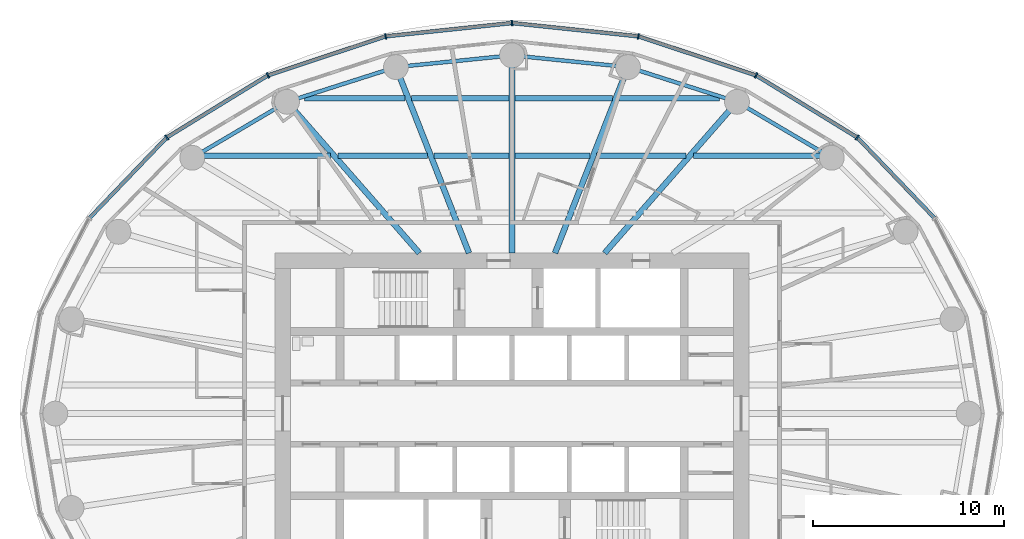
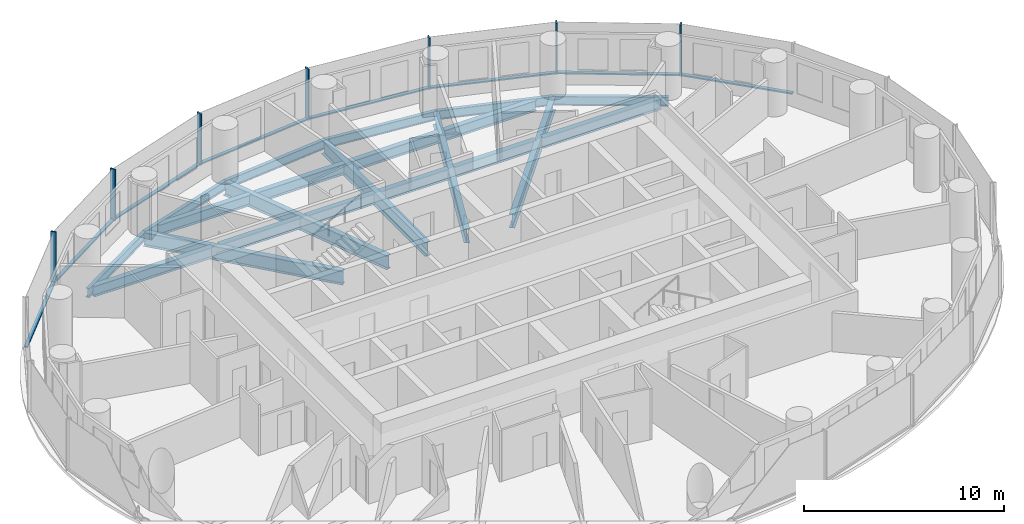
# One storey, part 4 of 14: 21 beams, 15 members, 2 elements without a shape of their own.
"""IFC4 building model written with IfcOpenShell, lengths in metres."""

import ifcopenshell
import ifcopenshell.guid

model = None  # the IFC model being written
_history = None  # IfcOwnerHistory: only IFC2X3 demands one
_inside = {}  # id of a spatial element -> (the spatial element, [elements in it])
_under = {}  # id of a project, library or spatial element -> (it, [spatial elements below it])
_declared = {}  # id of a project -> (the project, [libraries it declares])
_typed = {}  # id of a type object -> (the type object, [elements of that type])
_made_of = {}  # id of a material, layer set ... -> (it, [elements and type objects made of it])


def new_model(schema):
    """Start an empty IFC model of exactly this schema.

    Asked for "IFC4X3", IfcOpenShell would pick the latest addendum, in which some entities
    have other attributes; the version numbers below select the first issue.
    IFC2X3 requires an IfcOwnerHistory on every rooted entity: one is made here for all.
    """
    global model, _history
    if schema == "IFC4X3":
        model = ifcopenshell.file(schema_version=(4, 3, 0, 0))
    else:
        model = ifcopenshell.file(schema=schema)
    _inside.clear()
    _under.clear()
    _declared.clear()
    _typed.clear()
    _made_of.clear()
    _history = None
    if model.schema == "IFC2X3":
        org = make("IfcOrganization", Name="unknown")
        user = make(
            "IfcPersonAndOrganization",
            ThePerson=make("IfcPerson", FamilyName="unknown"),
            TheOrganization=org,
        )
        app = make(
            "IfcApplication",
            ApplicationDeveloper=org,
            Version="unknown",
            ApplicationFullName="unknown",
            ApplicationIdentifier="unknown",
        )
        _history = make(
            "IfcOwnerHistory",
            OwningUser=user,
            OwningApplication=app,
            ChangeAction="ADDED",
            CreationDate=0,
        )
    return model


def make(cls, **values):
    """One entity of the class cls with the attributes given. An attribute that is None is left unset."""
    return model.create_entity(
        cls, **{name: value for name, value in values.items() if value is not None}
    )


def rooted(cls, **values):
    """An entity with a GlobalId (a new one), such as an element, a storey or a relation."""
    return make(cls, GlobalId=ifcopenshell.guid.new(), OwnerHistory=_history, **values)


def si_unit(unit_type, name, prefix=None):
    """IfcSIUnit, for example si_unit("LENGTHUNIT", "METRE", prefix="MILLI")."""
    return make("IfcSIUnit", UnitType=unit_type, Prefix=prefix, Name=name)


def assignment(units):
    """IfcUnitAssignment: the units of a project."""
    return None if units is None else make("IfcUnitAssignment", Units=units)


def point(xyz):
    """IfcCartesianPoint."""
    return None if xyz is None else make("IfcCartesianPoint", Coordinates=xyz)


def direction(xyz):
    """IfcDirection."""
    return None if xyz is None else make("IfcDirection", DirectionRatios=xyz)


def frame(location, z_axis=None, x_axis=None):
    """IfcAxis2Placement3D, a coordinate frame: its origin and axes. An axis left out is left unset."""
    return make(
        "IfcAxis2Placement3D",
        Location=point(location),
        Axis=direction(z_axis),
        RefDirection=direction(x_axis),
    )


def frame_2d(location, x_axis=None):
    """IfcAxis2Placement2D, a coordinate frame in the plane: its origin and x axis."""
    return make(
        "IfcAxis2Placement2D", Location=point(location), RefDirection=direction(x_axis)
    )


def origin():
    """The frame at (0, 0, 0) with its axes left unset."""
    return frame((0.0, 0.0, 0.0))


def origin_2d():
    """The frame at (0, 0) in the plane with its x axis left unset."""
    return frame_2d((0.0, 0.0))


def place(relative_to, where):
    """IfcLocalPlacement: puts the frame where relative to a parent placement (None: the world)."""
    return make(
        "IfcLocalPlacement", PlacementRelTo=relative_to, RelativePlacement=where
    )


def context(
    kind, dimensions, precision=None, world=None, true_north=None, identifier=None
):
    """IfcGeometricRepresentationContext, for example the 3D "Model" context."""
    return make(
        "IfcGeometricRepresentationContext",
        ContextIdentifier=identifier,
        ContextType=kind,
        CoordinateSpaceDimension=dimensions,
        Precision=precision,
        WorldCoordinateSystem=world,
        TrueNorth=true_north,
    )


def subcontext(parent, identifier, kind, view, scale=None):
    """IfcGeometricRepresentationSubContext, for example "Body" below "Model"."""
    return make(
        "IfcGeometricRepresentationSubContext",
        ContextIdentifier=identifier,
        ContextType=kind,
        ParentContext=parent,
        TargetScale=scale,
        TargetView=view,
    )


def project(units=None, contexts=None):
    """IfcProject with its units and contexts."""
    return rooted(
        "IfcProject",
        Name="project",
        RepresentationContexts=contexts,
        UnitsInContext=assignment(units),
    )


def spatial(cls, under=None, at=None, **own):
    """A site, building, storey or space (cls), placed at a placement, below another one or the project."""
    s = rooted(cls, ObjectPlacement=at, **own)
    if under is not None:
        _under.setdefault(under.id(), (under, []))[1].append(s)
    return s


def profile(cls, at=None, kind="AREA", **sizes):
    """A parametric profile (cls). Its sizes go by their IFC names, for example OverallWidth=200.0."""
    return make(cls, ProfileType=kind, Position=at, **sizes)


def rectangle(**sizes):
    """IfcRectangleProfileDef."""
    return profile("IfcRectangleProfileDef", **sizes)


def i_section(**sizes):
    """IfcIShapeProfileDef."""
    return profile("IfcIShapeProfileDef", **sizes)


def extrude(swept, where, along, depth):
    """IfcExtrudedAreaSolid: the profile swept, set in the frame where, extruded along a direction by depth."""
    return make(
        "IfcExtrudedAreaSolid",
        SweptArea=swept,
        Position=where,
        ExtrudedDirection=direction(along),
        Depth=depth,
    )


def shape(context_of_items, identifier, shape_type, items):
    """IfcShapeRepresentation: the items that make up one representation, for example the "Body"."""
    return make(
        "IfcShapeRepresentation",
        ContextOfItems=context_of_items,
        RepresentationIdentifier=identifier,
        RepresentationType=shape_type,
        Items=items,
    )


def material(Name=None, Category=None):
    """IfcMaterial."""
    return make("IfcMaterial", Name=Name, Category=Category)


def material_profile(
    of_material, cross_section, Name=None, Category=None, Priority=None
):
    """IfcMaterialProfile: a cross section and its material."""
    return make(
        "IfcMaterialProfile",
        Name=Name,
        Material=of_material,
        Profile=cross_section,
        Priority=Priority,
        Category=Category,
    )


def profile_set(profiles, Name=None, composite=None):
    """IfcMaterialProfileSet."""
    return make(
        "IfcMaterialProfileSet",
        Name=Name,
        MaterialProfiles=profiles,
        CompositeProfile=composite,
    )


def made_of(thing, what):
    """Note that an element or type object is made of a material, layer set ...; save() writes the relation."""
    if what is not None:
        _made_of.setdefault(what.id(), (what, []))[1].append(thing)
    return thing


def type_object(cls, material=None, **own):
    """A type object (cls), such as IfcWallType, which elements share."""
    return made_of(rooted(cls, **own), material)


def element(
    cls,
    number,
    at=None,
    inside=None,
    cuts=None,
    type_object=None,
    material=None,
    context=None,
    identifier="Body",
    shape_type=None,
    held_by="IfcProductDefinitionShape",
    body=None,
    shapes=None,
    **own,
):
    """One element of the class cls, such as IfcWall. Its Tag is "e" and its number.

    at: its placement. inside: the storey or other place that contains it. cuts: it is an
    opening in that element (IfcRelVoidsElement). A single representation is given by context,
    identifier, shape_type and body (its items); several are given by shapes. held_by: the class
    of the entity that holds the representations. save() writes the other relations.
    """
    e = rooted(cls, Tag="e%d" % number, ObjectPlacement=at, **own)
    if body is not None:
        shapes = [shape(context, identifier, shape_type, body)]
    if shapes is not None:
        e.Representation = make(held_by, Representations=shapes)
    if inside is not None:
        _inside.setdefault(inside.id(), (inside, []))[1].append(e)
    if cuts is not None:
        rooted(
            "IfcRelVoidsElement", RelatingBuildingElement=cuts, RelatedOpeningElement=e
        )
    if type_object is not None:
        _typed.setdefault(type_object.id(), (type_object, []))[1].append(e)
    return made_of(e, material)


def aggregate(whole, parts):
    """IfcRelAggregates: a whole, such as a stair, and the parts it consists of."""
    return rooted("IfcRelAggregates", RelatingObject=whole, RelatedObjects=parts)


def save(model, path):
    """Write the relations noted so far, then the file.

    IfcRelAggregates (storeys below a building ...), IfcRelContainedInSpatialStructure (elements
    in a storey), IfcRelDefinesByType, IfcRelAssociatesMaterial and IfcRelDeclares: one each for
    every whole, place, type object, material and project.
    """
    for whole, parts in _under.values():
        aggregate(whole, parts)
    for where, things in _inside.values():
        rooted(
            "IfcRelContainedInSpatialStructure",
            RelatedElements=things,
            RelatingStructure=where,
        )
    for kind, things in _typed.values():
        rooted("IfcRelDefinesByType", RelatedObjects=things, RelatingType=kind)
    for what, things in _made_of.values():
        rooted("IfcRelAssociatesMaterial", RelatedObjects=things, RelatingMaterial=what)
    for by, libraries in _declared.values():
        rooted("IfcRelDeclares", RelatingContext=by, RelatedDefinitions=libraries)
    model.write(path)


model = new_model("IFC4")

# Units and contexts
model_context = context("Model", 3, precision=1e-05, world=origin(), true_north=direction((0.0, 1.0)))
body_context = subcontext(model_context, "Body", "Model", "MODEL_VIEW")
ifc_project = project(units=[si_unit("LENGTHUNIT", "METRE"), si_unit("AREAUNIT", "SQUARE_METRE"), si_unit("VOLUMEUNIT", "CUBIC_METRE"), si_unit("PLANEANGLEUNIT", "RADIAN"), si_unit("MASSUNIT", "GRAM", prefix="KILO")], contexts=[model_context])

# Site, building, storey
site_placement = place(None, origin())
site = spatial("IfcSite", under=ifc_project, at=site_placement, CompositionType="ELEMENT")
building_placement = place(site_placement, origin())
building = spatial("IfcBuilding", under=site, at=building_placement, Name="Hankou Lantern Tower", CompositionType="ELEMENT")
storey_placement = place(building_placement, frame((0.0, 0.0, 108.89990234375)))
storey = spatial("IfcBuildingStorey", under=building, at=storey_placement, Name="L27", CompositionType="ELEMENT", Elevation=108.89990234375)

# Beams
ifc_material_1 = material(Name="Steel Q355B", Category="steel")
ifc_material_profile_1 = material_profile(ifc_material_1, i_section(OverallWidth=0.199951171875, OverallDepth=0.550048828125, WebThickness=0.010009765625, FlangeThickness=0.01611328125, FilletRadius=0.012939453125, at=origin_2d()), Name="HN550x200x10x16")
ifc_profile_set_1 = profile_set([ifc_material_profile_1], Name="Steel Q355B")
beam_type_1 = type_object("IfcBeamType", Name="EB6 RING BEAM HN550x200x10x16", PredefinedType="SPANDREL", material=ifc_profile_set_1)
beam_1_placement = place(storey_placement, frame((16.73388671875, 13.38720703125, -0.454833984375), z_axis=(-0.860988974188, 0.508623619513, 0.0), x_axis=(-0.508623619513, -0.860988974188, 0.0)))
element("IfcBeam", 1, at=beam_1_placement, inside=storey, type_object=beam_type_1, Name="Ring beam R04-R05 L27", PredefinedType="SPANDREL", context=body_context, shape_type="SweptSolid", body=[
    extrude(i_section(OverallWidth=0.199951171875, OverallDepth=0.550048828125, WebThickness=0.010009765625, FlangeThickness=0.01611328125, FilletRadius=0.012939453125, at=origin_2d()), origin(), (0.0, 0.0, 1.0), 5.759033203125),
])
beam_2_placement = place(storey_placement, frame((11.775390625, 16.31640625, -0.454833984375), z_axis=(-0.952731090451, 0.303814860215, 0.0), x_axis=(-0.303814860215, -0.952731090451, 0.0)))
element("IfcBeam", 2, at=beam_2_placement, inside=storey, type_object=beam_type_1, Name="Ring beam R05-R06 L27", PredefinedType="SPANDREL", context=body_context, shape_type="SweptSolid", body=[
    extrude(i_section(OverallWidth=0.199951171875, OverallDepth=0.550048828125, WebThickness=0.010009765625, FlangeThickness=0.01611328125, FilletRadius=0.012939453125, at=origin_2d()), origin(), (0.0, 0.0, 1.0), 5.984375),
])
for number, where, z_axis, x_axis, name in (
    (3, (6.073974609375, 18.134521484375, -0.454833984375), (-0.994905271594, 0.100814188259, 0.0), (-0.100814188259, -0.994905271594, 0.0), "Ring beam R06-R07 L27"),
    (4, (0.0, 18.75, -0.454833984375), (-0.994905271594, -0.100814188259, 0.0), (0.100814188259, -0.994905271594, 0.0), "Ring beam R07-R08 L27"),
):
    element("IfcBeam", number, at=place(storey_placement, frame(where, z_axis=z_axis, x_axis=x_axis)), inside=storey, type_object=beam_type_1, Name=name, PredefinedType="SPANDREL", context=body_context, shape_type="SweptSolid", body=[
        extrude(i_section(OverallWidth=0.199951171875, OverallDepth=0.550048828125, WebThickness=0.010009765625, FlangeThickness=0.01611328125, FilletRadius=0.012939453125, at=origin_2d()), origin(), (0.0, 0.0, 1.0), 6.10498046875),
    ])
beam_3_placement = place(storey_placement, frame((-6.073974609375, 18.134521484375, -0.454833984375), z_axis=(-0.952731090451, -0.303814860215, 0.0), x_axis=(0.303814860215, -0.952731090451, 0.0)))
element("IfcBeam", 5, at=beam_3_placement, inside=storey, type_object=beam_type_1, Name="Ring beam R08-R09 L27", PredefinedType="SPANDREL", context=body_context, shape_type="SweptSolid", body=[
    extrude(i_section(OverallWidth=0.199951171875, OverallDepth=0.550048828125, WebThickness=0.010009765625, FlangeThickness=0.01611328125, FilletRadius=0.012939453125, at=origin_2d()), origin(), (0.0, 0.0, 1.0), 5.984375),
])
beam_4_placement = place(storey_placement, frame((-11.775390625, 16.31640625, -0.454833984375), z_axis=(-0.860988974188, -0.508623619513, 0.0), x_axis=(0.508623619513, -0.860988974188, 0.0)))
element("IfcBeam", 6, at=beam_4_placement, inside=storey, type_object=beam_type_1, Name="Ring beam R09-R10 L27", PredefinedType="SPANDREL", context=body_context, shape_type="SweptSolid", body=[
    extrude(i_section(OverallWidth=0.199951171875, OverallDepth=0.550048828125, WebThickness=0.010009765625, FlangeThickness=0.01611328125, FilletRadius=0.012939453125, at=origin_2d()), origin(), (0.0, 0.0, 1.0), 5.759033203125),
])

# Curtain wall, members
ifc_material_2 = material(Name="Glass, dark grey tinted laminated", Category="glass")
curtain_wall_type = type_object("IfcCurtainWallType", Name="CWB OUTER SKIN MID-RISE", PredefinedType="USERDEFINED", material=ifc_material_2)
curtain_wall_1_placement = place(storey_placement, origin())
curtain_wall_1 = element("IfcCurtainWall", 7, at=curtain_wall_1_placement, inside=storey, type_object=curtain_wall_type, Name="CWB L27 OS1", ObjectType="OUTER SKIN MID-RISE", PredefinedType="USERDEFINED")
ifc_material_3 = material(Name="Aluminium, black anodised", Category="aluminium")
ifc_material_profile_2 = material_profile(ifc_material_3, rectangle(XDim=0.080078125, YDim=0.300048828125, at=origin_2d()), Name="MU1 80X300")
ifc_profile_set_2 = profile_set([ifc_material_profile_2], Name="Aluminium, black anodised")
member_type_1 = type_object("IfcMemberType", Name="MU1 OUTER SKIN MULLION 80X300", PredefinedType="MULLION", material=ifc_profile_set_2)
member_1_placement = place(storey_placement, frame((18.066650390625, 14.453369140625, 0.0), z_axis=(0.0, 0.0, 1.0), x_axis=(-0.780868809444, 0.624695047553, 0.0)))
member_1 = element("IfcMember", 8, at=member_1_placement, type_object=member_type_1, Name="CWB mullion 4", PredefinedType="MULLION", context=body_context, shape_type="SweptSolid", body=[
    extrude(rectangle(XDim=0.080078125, YDim=0.300048828125, at=origin_2d()), origin(), (0.0, 0.0, 1.0), 3.1201171875),
])
member_2_placement = place(storey_placement, frame((12.77490234375, 17.70166015625, 0.0), z_axis=(0.0, 0.0, 1.0), x_axis=(-0.907841299004, 0.419313934686, 0.0)))
member_2 = element("IfcMember", 9, at=member_2_placement, type_object=member_type_1, Name="CWB mullion 5", PredefinedType="MULLION", context=body_context, shape_type="SweptSolid", body=[
    extrude(rectangle(XDim=0.080078125, YDim=0.300048828125, at=origin_2d()), origin(), (0.0, 0.0, 1.0), 3.1201171875),
])
member_3_placement = place(storey_placement, frame((6.61279296875, 19.743408203125, 0.0), z_axis=(0.0, 0.0, 1.0), x_axis=(-0.977787659625, 0.209597931016, 0.0)))
member_3 = element("IfcMember", 10, at=member_3_placement, type_object=member_type_1, Name="CWB mullion 6", PredefinedType="MULLION", context=body_context, shape_type="SweptSolid", body=[
    extrude(rectangle(XDim=0.080078125, YDim=0.300048828125, at=origin_2d()), origin(), (0.0, 0.0, 1.0), 3.1201171875),
])

curtain_wall_2_placement = place(storey_placement, origin())
curtain_wall_2 = element("IfcCurtainWall", 11, at=curtain_wall_2_placement, inside=storey, type_object=curtain_wall_type, Name="CWB L27 OS2", ObjectType="OUTER SKIN MID-RISE", PredefinedType="USERDEFINED")
member_4_placement = place(storey_placement, frame((0.0, 20.43994140625, 0.0), z_axis=(0.0, 0.0, 1.0), x_axis=(-0.994499359107, -0.104742659579, 0.0)))
member_4 = element("IfcMember", 12, at=member_4_placement, type_object=member_type_1, Name="CWB mullion 1", PredefinedType="MULLION", context=body_context, shape_type="SweptSolid", body=[
    extrude(rectangle(XDim=0.080078125, YDim=0.300048828125, at=origin_2d()), origin(), (0.0, 0.0, 1.0), 3.1201171875),
])
member_5_placement = place(storey_placement, frame((-6.61279296875, 19.743408203125, 0.0), z_axis=(0.0, 0.0, 1.0), x_axis=(-0.977787659625, -0.209597931016, 0.0)))
member_5 = element("IfcMember", 13, at=member_5_placement, type_object=member_type_1, Name="CWB mullion 2", PredefinedType="MULLION", context=body_context, shape_type="SweptSolid", body=[
    extrude(rectangle(XDim=0.080078125, YDim=0.300048828125, at=origin_2d()), origin(), (0.0, 0.0, 1.0), 3.1201171875),
])
member_6_placement = place(storey_placement, frame((-12.77490234375, 17.70166015625, 0.0), z_axis=(0.0, 0.0, 1.0), x_axis=(-0.907841299004, -0.419313934686, 0.0)))
member_6 = element("IfcMember", 14, at=member_6_placement, type_object=member_type_1, Name="CWB mullion 3", PredefinedType="MULLION", context=body_context, shape_type="SweptSolid", body=[
    extrude(rectangle(XDim=0.080078125, YDim=0.300048828125, at=origin_2d()), origin(), (0.0, 0.0, 1.0), 3.1201171875),
])
member_7_placement = place(storey_placement, frame((-18.066650390625, 14.453369140625, 0.0), z_axis=(0.0, 0.0, 1.0), x_axis=(-0.780868809444, -0.624695047553, 0.0)))
member_7 = element("IfcMember", 15, at=member_7_placement, type_object=member_type_1, Name="CWB mullion 4", PredefinedType="MULLION", context=body_context, shape_type="SweptSolid", body=[
    extrude(rectangle(XDim=0.080078125, YDim=0.300048828125, at=origin_2d()), origin(), (0.0, 0.0, 1.0), 3.1201171875),
])

# Beams
ifc_material_4 = material(Name="Steel Q355B", Category="steel")
ifc_material_profile_3 = material_profile(ifc_material_4, i_section(OverallWidth=0.300048828125, OverallDepth=0.85009765625, WebThickness=0.01611328125, FlangeThickness=0.027099609375, FilletRadius=0.01806640625, at=origin_2d()), Name="HN850x300x16x27")
ifc_profile_set_3 = profile_set([ifc_material_profile_3], Name="Steel Q355B")
beam_type_2 = type_object("IfcBeamType", Name="RB12 RADIAL BEAM HN850x300x16x27", PredefinedType="BEAM", material=ifc_profile_set_3)
beam_5_placement = place(storey_placement, frame((4.849853515625, 8.39990234375, -0.60498046875), z_axis=(0.658429014446, 0.752642832249, 0.0), x_axis=(-0.752642832249, 0.658429014446, 0.0)))
element("IfcBeam", 16, at=beam_5_placement, inside=storey, type_object=beam_type_2, Name="Radial beam R05 L27", PredefinedType="BEAM", context=body_context, shape_type="SweptSolid", body=[
    extrude(i_section(OverallWidth=0.300048828125, OverallDepth=0.85009765625, WebThickness=0.01611328125, FlangeThickness=0.027099609375, FilletRadius=0.01806640625, at=origin_2d()), origin(), (0.0, 0.0, 1.0), 10.518310546875),
])
beam_6_placement = place(storey_placement, frame((2.250732421875, 8.39990234375, -0.60498046875), z_axis=(0.365563535437, 0.930786388791, 0.0), x_axis=(-0.930786388791, 0.365563535437, 0.0)))
element("IfcBeam", 17, at=beam_6_placement, inside=storey, type_object=beam_type_2, Name="Radial beam R06 L27", PredefinedType="BEAM", context=body_context, shape_type="SweptSolid", body=[
    extrude(i_section(OverallWidth=0.300048828125, OverallDepth=0.85009765625, WebThickness=0.01611328125, FlangeThickness=0.027099609375, FilletRadius=0.01806640625, at=origin_2d()), origin(), (0.0, 0.0, 1.0), 10.45849609375),
])
beam_7_placement = place(storey_placement, frame((0.0, 8.39990234375, -0.60498046875), z_axis=(0.0, 1.0, 0.0), x_axis=(-1.0, 0.0, 0.0)))
element("IfcBeam", 18, at=beam_7_placement, inside=storey, type_object=beam_type_2, Name="Radial beam R07 L27", PredefinedType="BEAM", context=body_context, shape_type="SweptSolid", body=[
    extrude(i_section(OverallWidth=0.300048828125, OverallDepth=0.85009765625, WebThickness=0.01611328125, FlangeThickness=0.027099609375, FilletRadius=0.01806640625, at=origin_2d()), origin(), (0.0, 0.0, 1.0), 10.35009765625),
])
beam_8_placement = place(storey_placement, frame((-2.250732421875, 8.39990234375, -0.60498046875), z_axis=(-0.365563535437, 0.930786388791, 0.0), x_axis=(-0.930786388791, -0.365563535437, 0.0)))
element("IfcBeam", 19, at=beam_8_placement, inside=storey, type_object=beam_type_2, Name="Radial beam R08 L27", PredefinedType="BEAM", context=body_context, shape_type="SweptSolid", body=[
    extrude(i_section(OverallWidth=0.300048828125, OverallDepth=0.85009765625, WebThickness=0.01611328125, FlangeThickness=0.027099609375, FilletRadius=0.01806640625, at=origin_2d()), origin(), (0.0, 0.0, 1.0), 10.45849609375),
])
beam_9_placement = place(storey_placement, frame((-4.849853515625, 8.39990234375, -0.60498046875), z_axis=(-0.658429014446, 0.752642832249, 0.0), x_axis=(-0.752642832249, -0.658429014446, 0.0)))
element("IfcBeam", 20, at=beam_9_placement, inside=storey, type_object=beam_type_2, Name="Radial beam R09 L27", PredefinedType="BEAM", context=body_context, shape_type="SweptSolid", body=[
    extrude(i_section(OverallWidth=0.300048828125, OverallDepth=0.85009765625, WebThickness=0.01611328125, FlangeThickness=0.027099609375, FilletRadius=0.01806640625, at=origin_2d()), origin(), (0.0, 0.0, 1.0), 10.518310546875),
])
ifc_material_5 = material(Name="Steel Q355B", Category="steel")
ifc_material_profile_4 = material_profile(ifc_material_5, i_section(OverallWidth=0.300048828125, OverallDepth=0.64990234375, WebThickness=0.010986328125, FlangeThickness=0.01708984375, FilletRadius=0.01806640625, at=origin_2d()), Name="HN650x300x11x17")
ifc_profile_set_4 = profile_set([ifc_material_profile_4], Name="Steel Q355B")
beam_type_3 = type_object("IfcBeamType", Name="SB8 SECONDARY BEAM HN650x300x11x17", PredefinedType="JOIST", material=ifc_profile_set_4)
beam_10_placement = place(storey_placement, frame((-16.34619140625, 13.5, -0.5048828125), z_axis=(1.0, 0.0, 0.0), x_axis=(0.0, 1.0, 0.0)))
element("IfcBeam", 21, at=beam_10_placement, inside=storey, type_object=beam_type_3, Name="Floor joist J043 L27", PredefinedType="JOIST", context=body_context, shape_type="SweptSolid", body=[
    extrude(i_section(OverallWidth=0.300048828125, OverallDepth=0.64990234375, WebThickness=0.010986328125, FlangeThickness=0.01708984375, FilletRadius=0.01806640625, at=origin_2d()), origin(), (0.0, 0.0, 1.0), 6.83544921875),
])
beam_11_placement = place(storey_placement, frame((-9.112060546875, 13.5, -0.5048828125), z_axis=(1.0, 0.0, 0.0), x_axis=(0.0, 1.0, 0.0)))
element("IfcBeam", 22, at=beam_11_placement, inside=storey, type_object=beam_type_3, Name="Floor joist J044 L27", PredefinedType="JOIST", context=body_context, shape_type="SweptSolid", body=[
    extrude(i_section(OverallWidth=0.300048828125, OverallDepth=0.64990234375, WebThickness=0.010986328125, FlangeThickness=0.01708984375, FilletRadius=0.01806640625, at=origin_2d()), origin(), (0.0, 0.0, 1.0), 4.697021484375),
])
for number, where, z_axis, x_axis, name in (
    (23, (-4.092529296875, 13.5, -0.5048828125), (1.0, 0.0, 0.0), (0.0, 1.0, 0.0), "Floor joist J045 L27"),
    (24, (0.14990234375, 13.5, -0.5048828125), (1.0, 0.0, 0.0), (0.0, 1.0, 0.0), "Floor joist J046 L27"),
):
    element("IfcBeam", number, at=place(storey_placement, frame(where, z_axis=z_axis, x_axis=x_axis)), inside=storey, type_object=beam_type_3, Name=name, PredefinedType="JOIST", context=body_context, shape_type="SweptSolid", body=[
        extrude(i_section(OverallWidth=0.300048828125, OverallDepth=0.64990234375, WebThickness=0.010986328125, FlangeThickness=0.01708984375, FilletRadius=0.01806640625, at=origin_2d()), origin(), (0.0, 0.0, 1.0), 3.942626953125),
    ])
beam_12_placement = place(storey_placement, frame((4.4150390625, 13.5, -0.5048828125), z_axis=(1.0, 0.0, 0.0), x_axis=(0.0, 1.0, 0.0)))
element("IfcBeam", 25, at=beam_12_placement, inside=storey, type_object=beam_type_3, Name="Floor joist J047 L27", PredefinedType="JOIST", context=body_context, shape_type="SweptSolid", body=[
    extrude(i_section(OverallWidth=0.300048828125, OverallDepth=0.64990234375, WebThickness=0.010986328125, FlangeThickness=0.01708984375, FilletRadius=0.01806640625, at=origin_2d()), origin(), (0.0, 0.0, 1.0), 4.697021484375),
])
beam_13_placement = place(storey_placement, frame((9.5107421875, 13.5, -0.5048828125), z_axis=(1.0, 0.0, 0.0), x_axis=(0.0, 1.0, 0.0)))
element("IfcBeam", 26, at=beam_13_placement, inside=storey, type_object=beam_type_3, Name="Floor joist J048 L27", PredefinedType="JOIST", context=body_context, shape_type="SweptSolid", body=[
    extrude(i_section(OverallWidth=0.300048828125, OverallDepth=0.64990234375, WebThickness=0.010986328125, FlangeThickness=0.01708984375, FilletRadius=0.01806640625, at=origin_2d()), origin(), (0.0, 0.0, 1.0), 6.83544921875),
])
beam_14_placement = place(storey_placement, frame((-10.8701171875, 16.5, -0.5048828125), z_axis=(1.0, 0.0, 0.0), x_axis=(0.0, 1.0, 0.0)))
element("IfcBeam", 27, at=beam_14_placement, inside=storey, type_object=beam_type_3, Name="Floor joist J049 L27", PredefinedType="JOIST", context=body_context, shape_type="SweptSolid", body=[
    extrude(i_section(OverallWidth=0.300048828125, OverallDepth=0.64990234375, WebThickness=0.010986328125, FlangeThickness=0.01708984375, FilletRadius=0.01806640625, at=origin_2d()), origin(), (0.0, 0.0, 1.0), 5.27685546875),
])
for number, where, z_axis, x_axis, name in (
    (28, (-5.270751953125, 16.5, -0.5048828125), (1.0, 0.0, 0.0), (0.0, 1.0, 0.0), "Floor joist J050 L27"),
    (29, (0.14990234375, 16.5, -0.5048828125), (1.0, 0.0, 0.0), (0.0, 1.0, 0.0), "Floor joist J051 L27"),
):
    element("IfcBeam", number, at=place(storey_placement, frame(where, z_axis=z_axis, x_axis=x_axis)), inside=storey, type_object=beam_type_3, Name=name, PredefinedType="JOIST", context=body_context, shape_type="SweptSolid", body=[
        extrude(i_section(OverallWidth=0.300048828125, OverallDepth=0.64990234375, WebThickness=0.010986328125, FlangeThickness=0.01708984375, FilletRadius=0.01806640625, at=origin_2d()), origin(), (0.0, 0.0, 1.0), 5.120849609375),
    ])
beam_15_placement = place(storey_placement, frame((5.59326171875, 16.5, -0.5048828125), z_axis=(1.0, 0.0, 0.0), x_axis=(0.0, 1.0, 0.0)))
element("IfcBeam", 30, at=beam_15_placement, inside=storey, type_object=beam_type_3, Name="Floor joist J052 L27", PredefinedType="JOIST", context=body_context, shape_type="SweptSolid", body=[
    extrude(i_section(OverallWidth=0.300048828125, OverallDepth=0.64990234375, WebThickness=0.010986328125, FlangeThickness=0.01708984375, FilletRadius=0.01806640625, at=origin_2d()), origin(), (0.0, 0.0, 1.0), 5.27685546875),
])

# Member
ifc_material_6 = material(Name="Aluminium, black anodised", Category="aluminium")
ifc_material_profile_5 = material_profile(ifc_material_6, rectangle(XDim=0.199951171875, YDim=0.080078125, at=origin_2d()), Name="TR1 200X80")
ifc_profile_set_5 = profile_set([ifc_material_profile_5], Name="Aluminium, black anodised")
member_type_2 = type_object("IfcMemberType", Name="TR1 OUTER SKIN TRANSOM 200X80", PredefinedType="USERDEFINED", material=ifc_profile_set_5)
member_8_placement = place(storey_placement, frame((22.099365234375, 10.248779296875, 0.0400390625), z_axis=(-0.692226977748, 0.721679853729, 0.0), x_axis=(-0.721679853729, -0.692226977748, 0.0)))
member_8 = element("IfcMember", 31, at=member_8_placement, type_object=member_type_2, Name="CWB transom 3", ObjectType="TRANSOM", PredefinedType="USERDEFINED", context=body_context, shape_type="SweptSolid", body=[
    extrude(rectangle(XDim=0.199951171875, YDim=0.080078125, at=origin_2d()), origin(), (0.0, 0.0, 1.0), 5.785888671875),
])

member_9_placement = place(storey_placement, frame((18.032470703125, 14.47412109375, 0.0400390625), z_axis=(-0.852229492169, 0.523168130411, 0.0), x_axis=(-0.523168130411, -0.852229492169, 0.0)))
member_9 = element("IfcMember", 32, at=member_9_placement, type_object=member_type_2, Name="CWB transom 4", ObjectType="TRANSOM", PredefinedType="USERDEFINED", context=body_context, shape_type="SweptSolid", body=[
    extrude(rectangle(XDim=0.199951171875, YDim=0.080078125, at=origin_2d()), origin(), (0.0, 0.0, 1.0), 6.129150390625),
])

member_10_placement = place(storey_placement, frame((12.737060546875, 17.714111328125, 0.0400390625), z_axis=(-0.949237765745, 0.314559476225, 0.0), x_axis=(-0.314559476225, -0.949237765745, 0.0)))
member_10 = element("IfcMember", 33, at=member_10_placement, type_object=member_type_2, Name="CWB transom 5", ObjectType="TRANSOM", PredefinedType="USERDEFINED", context=body_context, shape_type="SweptSolid", body=[
    extrude(rectangle(XDim=0.199951171875, YDim=0.080078125, at=origin_2d()), origin(), (0.0, 0.0, 1.0), 6.41162109375),
])

member_11_placement = place(storey_placement, frame((6.572998046875, 19.747802734375, 0.0400390625), z_axis=(-0.994500972001, 0.10472734451, 0.0), x_axis=(-0.10472734451, -0.994500972001, 0.0)))
member_11 = element("IfcMember", 34, at=member_11_placement, type_object=member_type_2, Name="CWB transom 6", ObjectType="TRANSOM", PredefinedType="USERDEFINED", context=body_context, shape_type="SweptSolid", body=[
    extrude(rectangle(XDim=0.199951171875, YDim=0.080078125, at=origin_2d()), origin(), (0.0, 0.0, 1.0), 6.5693359375),
])

aggregate(curtain_wall_1, [member_1, member_2, member_3, member_8, member_9, member_10, member_11])

member_12_placement = place(storey_placement, frame((-0.039794921875, 20.435791015625, 0.0400390625), z_axis=(-0.994500972001, -0.10472734451, 0.0), x_axis=(0.10472734451, -0.994500972001, 0.0)))
member_12 = element("IfcMember", 35, at=member_12_placement, type_object=member_type_2, Name="CWB transom 1", ObjectType="TRANSOM", PredefinedType="USERDEFINED", context=body_context, shape_type="SweptSolid", body=[
    extrude(rectangle(XDim=0.199951171875, YDim=0.080078125, at=origin_2d()), origin(), (0.0, 0.0, 1.0), 6.5693359375),
])

member_13_placement = place(storey_placement, frame((-6.65087890625, 19.73095703125, 0.0400390625), z_axis=(-0.949237765745, -0.314559476225, 0.0), x_axis=(0.314559476225, -0.949237765745, 0.0)))
member_13 = element("IfcMember", 36, at=member_13_placement, type_object=member_type_2, Name="CWB transom 2", ObjectType="TRANSOM", PredefinedType="USERDEFINED", context=body_context, shape_type="SweptSolid", body=[
    extrude(rectangle(XDim=0.199951171875, YDim=0.080078125, at=origin_2d()), origin(), (0.0, 0.0, 1.0), 6.41162109375),
])

member_14_placement = place(storey_placement, frame((-12.80908203125, 17.6806640625, 0.0400390625), z_axis=(-0.852229492169, -0.523168130411, 0.0), x_axis=(0.523168130411, -0.852229492169, 0.0)))
member_14 = element("IfcMember", 37, at=member_14_placement, type_object=member_type_2, Name="CWB transom 3", ObjectType="TRANSOM", PredefinedType="USERDEFINED", context=body_context, shape_type="SweptSolid", body=[
    extrude(rectangle(XDim=0.199951171875, YDim=0.080078125, at=origin_2d()), origin(), (0.0, 0.0, 1.0), 6.129150390625),
])

member_15_placement = place(storey_placement, frame((-18.09423828125, 14.42431640625, 0.0400390625), z_axis=(-0.692226977748, -0.721679853729, 0.0), x_axis=(0.721679853729, -0.692226977748, 0.0)))
member_15 = element("IfcMember", 38, at=member_15_placement, type_object=member_type_2, Name="CWB transom 4", ObjectType="TRANSOM", PredefinedType="USERDEFINED", context=body_context, shape_type="SweptSolid", body=[
    extrude(rectangle(XDim=0.199951171875, YDim=0.080078125, at=origin_2d()), origin(), (0.0, 0.0, 1.0), 5.785888671875),
])

aggregate(curtain_wall_2, [member_4, member_5, member_6, member_7, member_12, member_13, member_14, member_15])

save(model, "model.ifc")
